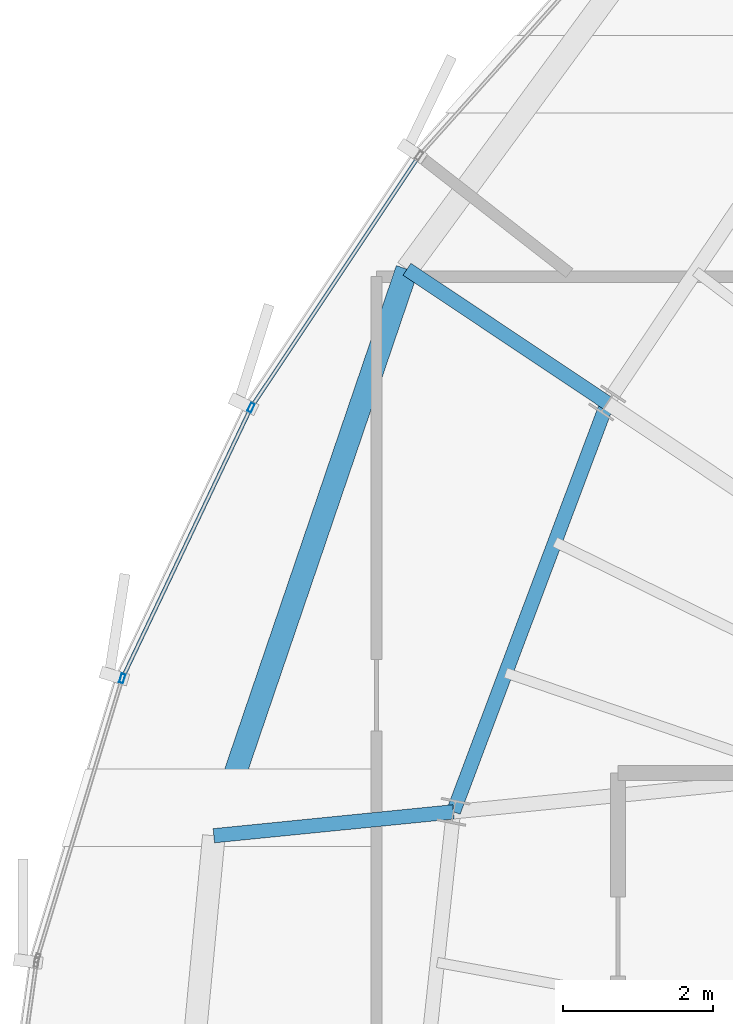
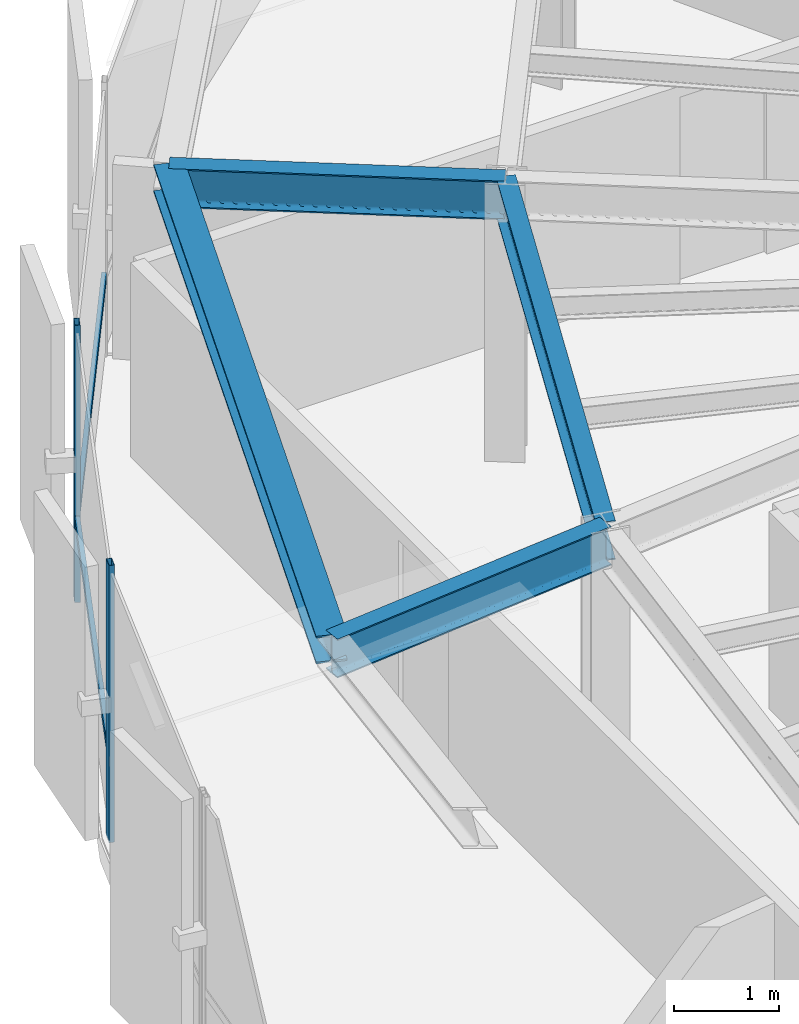
# One storey, part 11 of 35: 4 beams, 4 members, 1 element without a shape of its own.
"""IFC4 building model written with IfcOpenShell, lengths in metres."""

from ifc_helpers import new_model, si_unit, direction, frame, origin, origin_2d, place, context, subcontext, project, spatial, hollow_rectangle, i_section, extrude, source, transform, mapped, material, layer, layer_set, material_profile, profile_set, type_object, element, aggregate, save


model = new_model("IFC4")

# Units and contexts
model_context = context("Model", 3, precision=1e-05, world=origin(), true_north=direction((0.0, 1.0)))
body_context = subcontext(model_context, "Body", "Model", "MODEL_VIEW")
ifc_project = project(units=[si_unit("LENGTHUNIT", "METRE"), si_unit("AREAUNIT", "SQUARE_METRE"), si_unit("VOLUMEUNIT", "CUBIC_METRE"), si_unit("PLANEANGLEUNIT", "RADIAN"), si_unit("MASSUNIT", "GRAM", prefix="KILO"), si_unit("THERMODYNAMICTEMPERATUREUNIT", "KELVIN")], contexts=[model_context])

# Site, building, storey
site_placement = place(None, origin())
site = spatial("IfcSite", under=ifc_project, at=site_placement, CompositionType="ELEMENT")
building_placement = place(site_placement, origin())
building = spatial("IfcBuilding", under=site, at=building_placement, Name="Kethvar Cultural Tower", CompositionType="ELEMENT")
storey_placement = place(building_placement, frame((0.0, 0.0, 245.64990234375)))
storey = spatial("IfcBuildingStorey", under=building, at=storey_placement, Name="L64", CompositionType="ELEMENT", Elevation=245.64990234375)

# Beams
ifc_material_1 = material(Name="Steel S355J2", Category="steel")
ifc_material_profile_1 = material_profile(ifc_material_1, i_section(OverallWidth=0.18994140625, OverallDepth=0.449951171875, WebThickness=0.009521484375, FlangeThickness=0.0146484375, FilletRadius=0.02099609375, at=origin_2d()), Name="Steel S355J2 — IPE450")
ifc_profile_set_1 = profile_set([ifc_material_profile_1], Name="Steel S355J2 — IPE450")
beam_type_1 = type_object("IfcBeamType", Name="BM-IPE450", PredefinedType="BEAM", material=ifc_profile_set_1)
shared_shape_1 = source(origin(), body_context, "Body", "SweptSolid", [
    extrude(i_section(OverallWidth=0.18994140625, OverallDepth=0.449951171875, WebThickness=0.009521484375, FlangeThickness=0.0146484375, FilletRadius=0.02099609375, at=origin_2d()), origin(), (0.0, 0.0, 1.0), 3.2001953125),
])
beam_1_placement = place(storey_placement, frame((32.3125, 30.681884765625, 2.983154296875), z_axis=(-0.995047004836, -0.099405523829, 0.0), x_axis=(0.099405523829, -0.995047004836, 0.0)))
element("IfcBeam", 1, at=beam_1_placement, inside=storey, type_object=beam_type_1, Name="L64 Perimeter Cantilever Beam RC-08", PredefinedType="BEAM", context=body_context, shape_type="MappedRepresentation", body=[
    mapped(shared_shape_1, transform((0.0, 0.0, 0.0), scale=1.0)),
])
shared_shape_2 = source(origin(), body_context, "Body", "SweptSolid", [
    extrude(i_section(OverallWidth=0.18994140625, OverallDepth=0.449951171875, WebThickness=0.009521484375, FlangeThickness=0.0146484375, FilletRadius=0.02099609375, at=origin_2d()), origin(), (0.0, 0.0, 1.0), 3.19970703125),
])
beam_2_placement = place(storey_placement, frame((34.35595703125, 36.114990234375, 2.983154296875), z_axis=(-0.831498187863, 0.55552746429, 0.0), x_axis=(-0.55552746429, -0.831498187863, 0.0)))
element("IfcBeam", 2, at=beam_2_placement, inside=storey, type_object=beam_type_1, Name="L64 Perimeter Cantilever Beam RC-07", PredefinedType="BEAM", context=body_context, shape_type="MappedRepresentation", body=[
    mapped(shared_shape_2, transform((0.0, 0.0, 0.0), scale=1.0)),
])
shared_shape_3 = source(origin(), body_context, "Body", "SweptSolid", [
    extrude(i_section(OverallWidth=0.18994140625, OverallDepth=0.449951171875, WebThickness=0.009521484375, FlangeThickness=0.0146484375, FilletRadius=0.02099609375, at=origin_2d()), origin(), (0.0, 0.0, 1.0), 5.8046875),
])
beam_3_placement = place(storey_placement, frame((34.35595703125, 36.114990234375, 2.983154296875), z_axis=(-0.352035902861, -0.935986497283, 0.0), x_axis=(0.935986497283, -0.352035902861, 0.0)))
element("IfcBeam", 3, at=beam_3_placement, inside=storey, type_object=beam_type_1, Name="L64 Column Ring Tie Beam CR-07", PredefinedType="BEAM", context=body_context, shape_type="MappedRepresentation", body=[
    mapped(shared_shape_3, transform((0.0, 0.0, 0.0), scale=1.0)),
])
ifc_material_profile_2 = material_profile(ifc_material_1, i_section(OverallWidth=0.300048828125, OverallDepth=0.320068359375, WebThickness=0.011474609375, FlangeThickness=0.0205078125, FilletRadius=0.027099609375, at=origin_2d()), Name="Steel S355J2 — HEB320")
ifc_profile_set_2 = profile_set([ifc_material_profile_2], Name="Steel S355J2 — HEB320")
beam_type_2 = type_object("IfcBeamType", Name="BM-SP320", PredefinedType="SPANDREL", material=ifc_profile_set_2)
shared_shape_4 = source(origin(), body_context, "Body", "SweptSolid", [
    extrude(i_section(OverallWidth=0.300048828125, OverallDepth=0.320068359375, WebThickness=0.011474609375, FlangeThickness=0.0205078125, FilletRadius=0.027099609375, at=origin_2d()), origin(), (0.0, 0.0, 1.0), 7.954345703125),
])
beam_4_placement = place(storey_placement, frame((31.6953125, 37.892578125, 3.048095703125), z_axis=(-0.322730170507, -0.946491012659, 0.0), x_axis=(0.946491012659, -0.322730170507, 0.0)))
element("IfcBeam", 4, at=beam_4_placement, inside=storey, type_object=beam_type_2, Name="L64 Perimeter Spandrel Beam SP-07", PredefinedType="SPANDREL", context=body_context, shape_type="MappedRepresentation", body=[
    mapped(shared_shape_4, transform((0.0, 0.0, 0.0), scale=1.0)),
])

# Curtain wall, members
ifc_material_2 = material(Name="Aluminium 6063-T6", Category="aluminium")
ifc_layer = layer(ifc_material_2, 0.179931640625, Name="Aluminium 6063-T6", Category="aluminium")
ifc_layer_set = layer_set([ifc_layer], Name="Aluminium 6063-T6 (180 mm)")
curtain_wall_type = type_object("IfcCurtainWallType", Name="CW-SYS-05-Z56", PredefinedType="NOTDEFINED", material=ifc_layer_set)
curtain_wall_placement = place(storey_placement, origin())
curtain_wall = element("IfcCurtainWall", 5, at=curtain_wall_placement, inside=storey, type_object=curtain_wall_type, Name="L64 Curtain Wall Run 02", PredefinedType="NOTDEFINED")
ifc_material_profile_3 = material_profile(ifc_material_2, hollow_rectangle(XDim=0.054931640625, YDim=0.1201171875, WallThickness=0.00390625, at=origin_2d()), Name="Aluminium 6063-T6 — RHS120x55x4")
ifc_profile_set_3 = profile_set([ifc_material_profile_3], Name="Aluminium 6063-T6 — RHS120x55x4")
member_type_1 = type_object("IfcMemberType", Name="CW-SYS-05-Z56-MUL", PredefinedType="MULLION", material=ifc_profile_set_3)
shared_shape_5 = source(origin(), body_context, "Body", "SweptSolid", [
    extrude(hollow_rectangle(XDim=0.054931640625, YDim=0.1201171875, WallThickness=0.00390625, at=origin_2d()), origin(), (0.0, 0.0, 1.0), 3.210205078125),
])
member_1_placement = place(storey_placement, frame((29.6220703125, 36.05322265625, 0.0), z_axis=(0.0, 0.0, 1.0), x_axis=(0.903252926582, -0.429108553423, 0.0)))
member_1 = element("IfcMember", 6, at=member_1_placement, type_object=member_type_1, Name="CW-L64-R02 Mullion 5", PredefinedType="MULLION", context=body_context, shape_type="MappedRepresentation", body=[
    mapped(shared_shape_5, transform((0.0, 0.0, 0.0), scale=1.0)),
])
member_2_placement = place(storey_placement, frame((27.911376953125, 32.454833984375, 0.0), z_axis=(0.0, 0.0, 1.0), x_axis=(0.956914999972, -0.290368184947, 0.0)))
member_2 = element("IfcMember", 7, at=member_2_placement, type_object=member_type_1, Name="CW-L64-R02 Mullion 6", PredefinedType="MULLION", context=body_context, shape_type="MappedRepresentation", body=[
    mapped(shared_shape_5, transform((0.0, 0.0, 0.0), scale=1.0)),
])
ifc_material_profile_4 = material_profile(ifc_material_2, hollow_rectangle(XDim=0.050048828125, YDim=0.10009765625, WallThickness=0.00390625, at=origin_2d()), Name="Aluminium 6063-T6 — RHS100x50x4")
ifc_profile_set_4 = profile_set([ifc_material_profile_4], Name="Aluminium 6063-T6 — RHS100x50x4")
member_type_2 = type_object("IfcMemberType", Name="CW-SYS-05-Z56-TRN", PredefinedType="USERDEFINED", material=ifc_profile_set_4)
shared_shape_6 = source(origin(), body_context, "Body", "SweptSolid", [
    extrude(hollow_rectangle(XDim=0.050048828125, YDim=0.10009765625, WallThickness=0.00390625, at=origin_2d()), origin(), (0.0, 0.0, 1.0), 3.959716796875),
])
member_3_placement = place(storey_placement, frame((31.833740234375, 39.3681640625, 0.9501953125), z_axis=(-0.554785563902, -0.831993376227, 0.0), x_axis=(0.831993376227, -0.554785563902, 0.0)))
member_3 = element("IfcMember", 8, at=member_3_placement, type_object=member_type_2, Name="CW-L64-R02 Transom 4", ObjectType="TRANSOM", PredefinedType="USERDEFINED", context=body_context, shape_type="MappedRepresentation", body=[
    mapped(shared_shape_6, transform((0.0, 0.0, 0.0), scale=1.0)),
])
shared_shape_7 = source(origin(), body_context, "Body", "SweptSolid", [
    extrude(hollow_rectangle(XDim=0.050048828125, YDim=0.10009765625, WallThickness=0.00390625, at=origin_2d()), origin(), (0.0, 0.0, 1.0), 3.919921875),
])
member_4_placement = place(storey_placement, frame((29.60498046875, 36.017578125, 0.9501953125), z_axis=(-0.429111440076, -0.903251555214, 0.0), x_axis=(0.903251555214, -0.429111440076, 0.0)))
member_4 = element("IfcMember", 9, at=member_4_placement, type_object=member_type_2, Name="CW-L64-R02 Transom 5", ObjectType="TRANSOM", PredefinedType="USERDEFINED", context=body_context, shape_type="MappedRepresentation", body=[
    mapped(shared_shape_7, transform((0.0, 0.0, 0.0), scale=1.0)),
])
aggregate(curtain_wall, [member_1, member_2, member_3, member_4])

save(model, "model.ifc")
